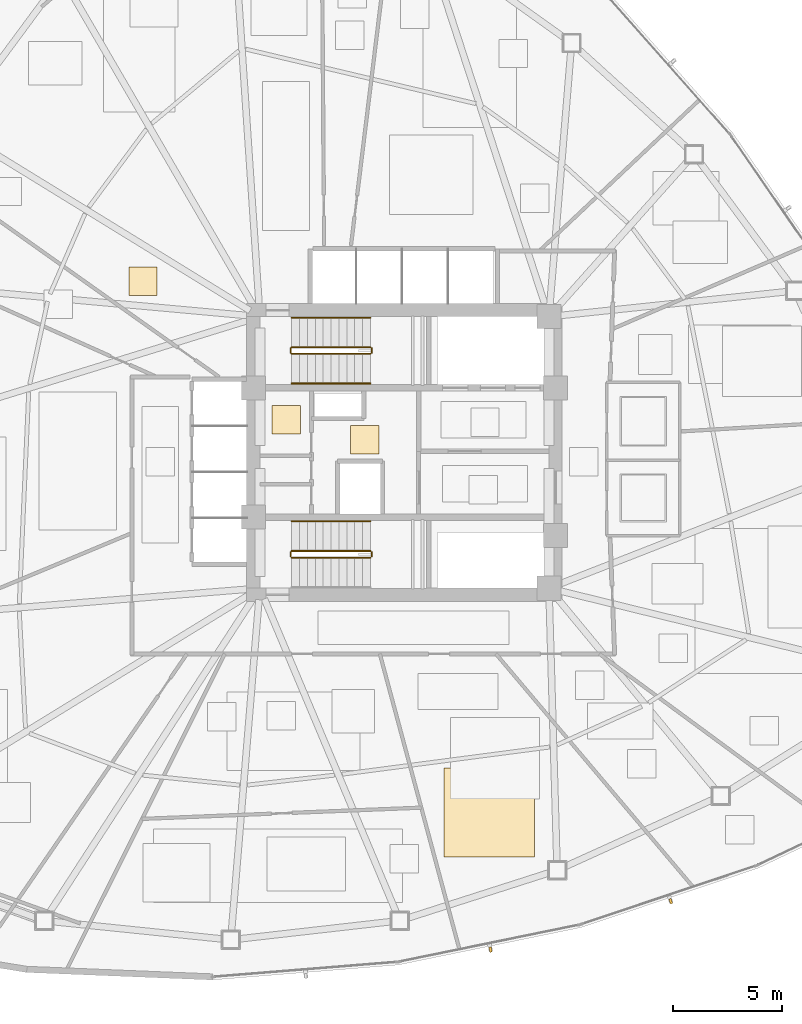
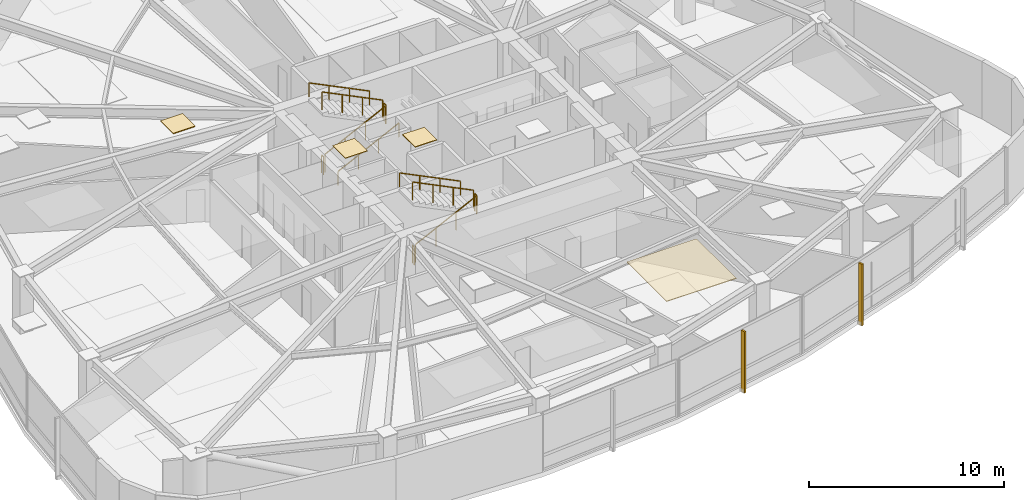
# One storey, part 16 of 18: 11 railings, 4 coverings, 2 shading devices.
"""IFC4 building model written with IfcOpenShell, lengths in metres."""

from ifc_helpers import new_model, si_unit, direction, frame, origin, origin_2d, place, context, subcontext, project, spatial, polyline, rectangle, outline, extrude, source, transform, mapped, material, layer, layer_set, type_object, type_shapes, element, save


model = new_model("IFC4")

# Units and contexts
model_context = context("Model", 3, precision=1e-05, world=origin(), true_north=direction((0.0, 1.0)))
body_context = subcontext(model_context, "Body", "Model", "MODEL_VIEW")
ifc_project = project(units=[si_unit("LENGTHUNIT", "METRE"), si_unit("AREAUNIT", "SQUARE_METRE"), si_unit("VOLUMEUNIT", "CUBIC_METRE"), si_unit("PLANEANGLEUNIT", "RADIAN"), si_unit("MASSUNIT", "GRAM", prefix="KILO")], contexts=[model_context])

# Site, building, storey
site_placement = place(None, origin())
site = spatial("IfcSite", under=ifc_project, at=site_placement, CompositionType="ELEMENT")
building_placement = place(site_placement, origin())
building = spatial("IfcBuilding", under=site, at=building_placement, Name="Tavelor Broadcast Tower", CompositionType="ELEMENT")
storey_placement = place(building_placement, frame((0.0, 0.0, 58.800048828125)))
storey = spatial("IfcBuildingStorey", under=building, at=storey_placement, Name="L13", CompositionType="ELEMENT", Elevation=58.800048828125)

# Railings
ifc_material_1 = material(Name="Steel S355", Category="steel")
railing_type_1 = type_object("IfcRailingType", Name="Continuous Brushed Stainless Handrail 900 mm", PredefinedType="HANDRAIL", material=ifc_material_1)
railing_1_placement = place(storey_placement, frame((44.85009765625, 48.14990234375, 0.17724609375)))
element("IfcRailing", 1, at=railing_1_placement, inside=storey, type_object=railing_type_1, Name="L13 ST1 stair handrail 1", PredefinedType="HANDRAIL", context=body_context, shape_type="SweptSolid", body=[
    extrude(rectangle(XDim=0.048095703125, YDim=0.048095703125, at=origin_2d()), frame((0.0, 0.0, 0.8759765625), z_axis=(0.897124305991, 0.0, 0.441778201817), x_axis=(0.0, 1.0, 0.0)), (0.0, 0.0, 1.0), 4.0126953125),
    extrude(rectangle(XDim=0.0419921875, YDim=0.0419921875, at=origin_2d()), origin(), (0.0, 0.0, 1.0), 0.851806640625),
    extrude(rectangle(XDim=0.0419921875, YDim=0.0419921875, at=origin_2d()), frame((1.199951171875, 0.0, 0.5908203125)), (0.0, 0.0, 1.0), 0.851806640625),
    extrude(rectangle(XDim=0.0419921875, YDim=0.0419921875, at=origin_2d()), frame((2.39990234375, 0.0, 1.181884765625)), (0.0, 0.0, 1.0), 0.851806640625),
    extrude(rectangle(XDim=0.0419921875, YDim=0.0419921875, at=origin_2d()), frame((3.599853515625, 0.0, 1.772705078125)), (0.0, 0.0, 1.0), 0.851806640625),
])
for number, where, name in (
    (2, (48.449951171875, 51.14990234375, 2.127197265625), "L13 ST1 stair handrail 2"),
    (3, (48.449951171875, 41.85009765625, 2.127197265625), "L13 ST2 stair handrail 2"),
):
    element("IfcRailing", number, at=place(storey_placement, frame(where)), inside=storey, type_object=railing_type_1, Name=name, PredefinedType="HANDRAIL", context=body_context, shape_type="SweptSolid", body=[
        extrude(rectangle(XDim=0.048095703125, YDim=0.048095703125, at=origin_2d()), frame((0.0, 0.0, 0.8759765625), z_axis=(-0.897124305991, 0.0, 0.441778201817), x_axis=(0.0, -1.0, 0.0)), (0.0, 0.0, 1.0), 4.0126953125),
        extrude(rectangle(XDim=0.0419921875, YDim=0.0419921875, at=origin_2d()), origin(), (0.0, 0.0, 1.0), 0.851806640625),
        extrude(rectangle(XDim=0.0419921875, YDim=0.0419921875, at=origin_2d()), frame((-1.199951171875, 0.0, 0.5908203125)), (0.0, 0.0, 1.0), 0.851806640625),
        extrude(rectangle(XDim=0.0419921875, YDim=0.0419921875, at=origin_2d()), frame((-2.39990234375, 0.0, 1.181884765625)), (0.0, 0.0, 1.0), 0.851806640625),
        extrude(rectangle(XDim=0.0419921875, YDim=0.0419921875, at=origin_2d()), frame((-3.599853515625, 0.0, 1.772705078125)), (0.0, 0.0, 1.0), 0.851806640625),
    ])

# Coverings
ifc_material_2 = material(Name="Acoustic Perforated Timber Baffle", Category="wood")
ifc_layer_1 = layer(ifc_material_2, 0.054931640625)
ifc_layer_set_1 = layer_set([ifc_layer_1], Name="Acoustic Perforated Timber Baffle")
covering_type_1 = type_object("IfcCoveringType", Name="Micro-Perforated Acoustic Baffle Studio Ceiling 55 mm", PredefinedType="CEILING", material=ifc_layer_set_1)
covering_1_placement = place(storey_placement, frame((0.0, 0.0, 3.544921875)))
element("IfcCovering", 4, at=covering_1_placement, inside=storey, type_object=covering_type_1, Name="L13 Suspended Acoustic Ceiling 0515", PredefinedType="CEILING", context=body_context, shape_type="SweptSolid", body=[
    extrude(outline(polyline([(37.4130859375, 52.178955078125), (38.712890625, 52.178955078125), (38.712890625, 53.47900390625), (37.4130859375, 53.47900390625), (37.4130859375, 52.178955078125)])), origin(), (0.0, 0.0, 1.0), 0.054931640625),
])
ifc_material_3 = material(Name="Architectural Anodized Aluminium", Category="aluminium")
ifc_layer_2 = layer(ifc_material_3, 0.030029296875)
ifc_layer_set_2 = layer_set([ifc_layer_2], Name="Architectural Anodized Aluminium")
covering_type_2 = type_object("IfcCoveringType", Name="Moisture-Resistant Washroom Ceiling 30 mm", PredefinedType="CEILING", material=ifc_layer_set_2)
covering_2_placement = place(storey_placement, frame((0.0, 0.0, 3.570068359375)))
element("IfcCovering", 5, at=covering_2_placement, inside=storey, type_object=covering_type_2, Name="L13 Suspended Acoustic Ceiling 0493", PredefinedType="CEILING", context=body_context, shape_type="SweptSolid", body=[
    extrude(outline(polyline([(43.951416015625, 45.843017578125), (45.25146484375, 45.843017578125), (45.25146484375, 47.14306640625), (43.951416015625, 47.14306640625), (43.951416015625, 45.843017578125)])), origin(), (0.0, 0.0, 1.0), 0.02978515625),
])

# Railings
railing_type_2 = type_object("IfcRailingType", Name="Stairwell Steel Safety Guardrail 1150 mm", PredefinedType="GUARDRAIL", material=ifc_material_1)
railing_2_placement = place(storey_placement, frame((44.85009765625, 49.5, 0.17724609375)))
element("IfcRailing", 6, at=railing_2_placement, inside=storey, type_object=railing_type_2, Name="L13 ST1 stair guard 1", PredefinedType="GUARDRAIL", context=body_context, shape_type="SweptSolid", body=[
    extrude(rectangle(XDim=0.048095703125, YDim=0.048095703125, at=origin_2d()), frame((0.0, 0.0, 1.1259765625), z_axis=(0.897124305991, 0.0, 0.441778201817), x_axis=(0.0, 1.0, 0.0)), (0.0, 0.0, 1.0), 4.0126953125),
    extrude(rectangle(XDim=0.0419921875, YDim=0.0419921875, at=origin_2d()), origin(), (0.0, 0.0, 1.0), 1.101806640625),
    extrude(rectangle(XDim=0.0419921875, YDim=0.0419921875, at=origin_2d()), frame((1.199951171875, 0.0, 0.5908203125)), (0.0, 0.0, 1.0), 1.101806640625),
    extrude(rectangle(XDim=0.0419921875, YDim=0.0419921875, at=origin_2d()), frame((2.39990234375, 0.0, 1.181884765625)), (0.0, 0.0, 1.0), 1.101806640625),
    extrude(rectangle(XDim=0.0419921875, YDim=0.0419921875, at=origin_2d()), frame((3.599853515625, 0.0, 1.772705078125)), (0.0, 0.0, 1.0), 1.101806640625),
])
railing_3_placement = place(storey_placement, frame((48.5, 49.550048828125, 1.949951171875)))
element("IfcRailing", 7, at=railing_3_placement, inside=storey, type_object=railing_type_2, Name="L13 ST1 stair guard 2", PredefinedType="GUARDRAIL", context=body_context, shape_type="SweptSolid", body=[
    extrude(rectangle(XDim=0.048095703125, YDim=0.048095703125, at=origin_2d()), frame((0.0, 0.0, 1.1259765625), z_axis=(0.0, 1.0, 0.0), x_axis=(-1.0, 0.0, 0.0)), (0.0, 0.0, 1.0), 0.199951171875),
    extrude(rectangle(XDim=0.0419921875, YDim=0.0419921875, at=origin_2d()), origin(), (0.0, 0.0, 1.0), 1.101806640625),
    extrude(rectangle(XDim=0.0419921875, YDim=0.0419921875, at=origin_2d()), frame((0.0, 0.199951171875, 0.0)), (0.0, 0.0, 1.0), 1.101806640625),
])
railing_4_placement = place(storey_placement, frame((48.449951171875, 49.800048828125, 2.127197265625)))
element("IfcRailing", 8, at=railing_4_placement, inside=storey, type_object=railing_type_2, Name="L13 ST1 stair guard 3", PredefinedType="GUARDRAIL", context=body_context, shape_type="SweptSolid", body=[
    extrude(rectangle(XDim=0.048095703125, YDim=0.048095703125, at=origin_2d()), frame((0.0, 0.0, 1.1259765625), z_axis=(-0.897124305991, 0.0, 0.441778201817), x_axis=(0.0, -1.0, 0.0)), (0.0, 0.0, 1.0), 4.0126953125),
    extrude(rectangle(XDim=0.0419921875, YDim=0.0419921875, at=origin_2d()), origin(), (0.0, 0.0, 1.0), 1.101806640625),
    extrude(rectangle(XDim=0.0419921875, YDim=0.0419921875, at=origin_2d()), frame((-1.199951171875, 0.0, 0.5908203125)), (0.0, 0.0, 1.0), 1.101806640625),
    extrude(rectangle(XDim=0.0419921875, YDim=0.0419921875, at=origin_2d()), frame((-2.39990234375, 0.0, 1.181884765625)), (0.0, 0.0, 1.0), 1.101806640625),
    extrude(rectangle(XDim=0.0419921875, YDim=0.0419921875, at=origin_2d()), frame((-3.599853515625, 0.0, 1.772705078125)), (0.0, 0.0, 1.0), 1.101806640625),
])
railing_5_placement = place(storey_placement, frame((44.800048828125, 49.550048828125, 0.0)))
element("IfcRailing", 9, at=railing_5_placement, inside=storey, type_object=railing_type_2, Name="L13 ST1 stair guard 4", PredefinedType="GUARDRAIL", context=body_context, shape_type="SweptSolid", body=[
    extrude(rectangle(XDim=0.048095703125, YDim=0.048095703125, at=origin_2d()), frame((0.0, 0.0, 1.1259765625), z_axis=(0.0, 1.0, 0.0), x_axis=(-1.0, 0.0, 0.0)), (0.0, 0.0, 1.0), 0.199951171875),
    extrude(rectangle(XDim=0.0419921875, YDim=0.0419921875, at=origin_2d()), origin(), (0.0, 0.0, 1.0), 1.101806640625),
    extrude(rectangle(XDim=0.0419921875, YDim=0.0419921875, at=origin_2d()), frame((0.0, 0.199951171875, 0.0)), (0.0, 0.0, 1.0), 1.101806640625),
])
railing_6_placement = place(storey_placement, frame((44.85009765625, 40.199951171875, 0.17724609375)))
element("IfcRailing", 10, at=railing_6_placement, inside=storey, type_object=railing_type_2, Name="L13 ST2 stair guard 1", PredefinedType="GUARDRAIL", context=body_context, shape_type="SweptSolid", body=[
    extrude(rectangle(XDim=0.048095703125, YDim=0.048095703125, at=origin_2d()), frame((0.0, 0.0, 1.1259765625), z_axis=(0.897124305991, 0.0, 0.441778201817), x_axis=(0.0, 1.0, 0.0)), (0.0, 0.0, 1.0), 4.0126953125),
    extrude(rectangle(XDim=0.0419921875, YDim=0.0419921875, at=origin_2d()), origin(), (0.0, 0.0, 1.0), 1.101806640625),
    extrude(rectangle(XDim=0.0419921875, YDim=0.0419921875, at=origin_2d()), frame((1.199951171875, 0.0, 0.5908203125)), (0.0, 0.0, 1.0), 1.101806640625),
    extrude(rectangle(XDim=0.0419921875, YDim=0.0419921875, at=origin_2d()), frame((2.39990234375, 0.0, 1.181884765625)), (0.0, 0.0, 1.0), 1.101806640625),
    extrude(rectangle(XDim=0.0419921875, YDim=0.0419921875, at=origin_2d()), frame((3.599853515625, 0.0, 1.772705078125)), (0.0, 0.0, 1.0), 1.101806640625),
])
railing_7_placement = place(storey_placement, frame((48.5, 40.25, 1.949951171875)))
element("IfcRailing", 11, at=railing_7_placement, inside=storey, type_object=railing_type_2, Name="L13 ST2 stair guard 2", PredefinedType="GUARDRAIL", context=body_context, shape_type="SweptSolid", body=[
    extrude(rectangle(XDim=0.048095703125, YDim=0.048095703125, at=origin_2d()), frame((0.0, 0.0, 1.1259765625), z_axis=(0.0, 1.0, 0.0), x_axis=(-1.0, 0.0, 0.0)), (0.0, 0.0, 1.0), 0.199951171875),
    extrude(rectangle(XDim=0.0419921875, YDim=0.0419921875, at=origin_2d()), origin(), (0.0, 0.0, 1.0), 1.101806640625),
    extrude(rectangle(XDim=0.0419921875, YDim=0.0419921875, at=origin_2d()), frame((0.0, 0.199951171875, 0.0)), (0.0, 0.0, 1.0), 1.101806640625),
])
railing_8_placement = place(storey_placement, frame((48.449951171875, 40.5, 2.127197265625)))
element("IfcRailing", 12, at=railing_8_placement, inside=storey, type_object=railing_type_2, Name="L13 ST2 stair guard 3", PredefinedType="GUARDRAIL", context=body_context, shape_type="SweptSolid", body=[
    extrude(rectangle(XDim=0.048095703125, YDim=0.048095703125, at=origin_2d()), frame((0.0, 0.0, 1.1259765625), z_axis=(-0.897124305991, 0.0, 0.441778201817), x_axis=(0.0, -1.0, 0.0)), (0.0, 0.0, 1.0), 4.0126953125),
    extrude(rectangle(XDim=0.0419921875, YDim=0.0419921875, at=origin_2d()), origin(), (0.0, 0.0, 1.0), 1.101806640625),
    extrude(rectangle(XDim=0.0419921875, YDim=0.0419921875, at=origin_2d()), frame((-1.199951171875, 0.0, 0.5908203125)), (0.0, 0.0, 1.0), 1.101806640625),
    extrude(rectangle(XDim=0.0419921875, YDim=0.0419921875, at=origin_2d()), frame((-2.39990234375, 0.0, 1.181884765625)), (0.0, 0.0, 1.0), 1.101806640625),
    extrude(rectangle(XDim=0.0419921875, YDim=0.0419921875, at=origin_2d()), frame((-3.599853515625, 0.0, 1.772705078125)), (0.0, 0.0, 1.0), 1.101806640625),
])
railing_9_placement = place(storey_placement, frame((44.800048828125, 40.25, 0.0)))
element("IfcRailing", 13, at=railing_9_placement, inside=storey, type_object=railing_type_2, Name="L13 ST2 stair guard 4", PredefinedType="GUARDRAIL", context=body_context, shape_type="SweptSolid", body=[
    extrude(rectangle(XDim=0.048095703125, YDim=0.048095703125, at=origin_2d()), frame((0.0, 0.0, 1.1259765625), z_axis=(0.0, 1.0, 0.0), x_axis=(-1.0, 0.0, 0.0)), (0.0, 0.0, 1.0), 0.199951171875),
    extrude(rectangle(XDim=0.0419921875, YDim=0.0419921875, at=origin_2d()), origin(), (0.0, 0.0, 1.0), 1.101806640625),
    extrude(rectangle(XDim=0.0419921875, YDim=0.0419921875, at=origin_2d()), frame((0.0, 0.199951171875, 0.0)), (0.0, 0.0, 1.0), 1.101806640625),
])

# Coverings
ifc_material_4 = material(Name="Acoustic Mineral Fibre Tile")
ifc_layer_3 = layer(ifc_material_4, 0.0400390625)
ifc_layer_set_3 = layer_set([ifc_layer_3], Name="Acoustic Mineral Fibre Tile")
covering_type_3 = type_object("IfcCoveringType", Name="Suspended Acoustic Mineral-Fibre Office Ceiling 40 mm", PredefinedType="CEILING", material=ifc_layer_set_3)
covering_3_placement = place(storey_placement, frame((0.0, 0.0, 3.56005859375)))
element("IfcCovering", 14, at=covering_3_placement, inside=storey, type_object=covering_type_3, Name="L13 Suspended Acoustic Ceiling 0492", PredefinedType="CEILING", context=body_context, shape_type="SweptSolid", body=[
    extrude(outline(polyline([(47.544921875, 44.919921875), (48.844970703125, 44.919921875), (48.844970703125, 46.219970703125), (47.544921875, 46.219970703125), (47.544921875, 44.919921875)])), origin(), (0.0, 0.0, 1.0), 0.039794921875),
])
covering_4_placement = place(storey_placement, frame((0.0, 0.0, 3.56005859375)))
element("IfcCovering", 15, at=covering_4_placement, inside=storey, type_object=covering_type_3, Name="L13 Suspended Acoustic Ceiling 0536", PredefinedType="CEILING", context=body_context, shape_type="SweptSolid", body=[
    extrude(outline(polyline([(51.8173828125, 26.51953125), (55.9453125, 26.51953125), (55.9453125, 30.599365234375), (51.8173828125, 30.599365234375), (51.8173828125, 26.51953125)])), origin(), (0.0, 0.0, 1.0), 0.039794921875),
])

# Shading devices
ifc_material_5 = material(Name="Kiln-Fired Glazed Terracotta", Category="masonry")
shading_device_type = type_object("IfcShadingDeviceType", Name="Extruded Terracotta Baguette Sun-Screen 110x240", PredefinedType="JALOUSIE", material=ifc_material_5)
shared_shape = source(origin(), body_context, "Body", "SweptSolid", [
    extrude(rectangle(XDim=0.110107421875, YDim=0.239990234375, at=origin_2d()), origin(), (0.0, 0.0, 1.0), 3.840087890625),
])
type_shapes(shading_device_type, [shared_shape])
for number, where, z_axis, x_axis, name in (
    (16, (53.934814453125, 22.29248046875, -0.26025390625), (0.0, 0.0, 1.0), (0.979645379354, 0.200735972635, 0.0), "L13 Terracotta Baguette Fin 114"),
    (17, (62.162841796875, 24.5048828125, -0.26025390625), (0.0, 0.0, 1.0), (0.94815738489, 0.317801153992, 0.0), "L13 Terracotta Baguette Fin 115"),
):
    element("IfcShadingDevice", number, at=place(storey_placement, frame(where, z_axis=z_axis, x_axis=x_axis)), inside=storey, type_object=shading_device_type, Name=name, PredefinedType="JALOUSIE", context=body_context, shape_type="MappedRepresentation", body=[
        mapped(shared_shape, transform((0.0, 0.0, 0.0), scale=1.0)),
    ])

save(model, "model.ifc")
